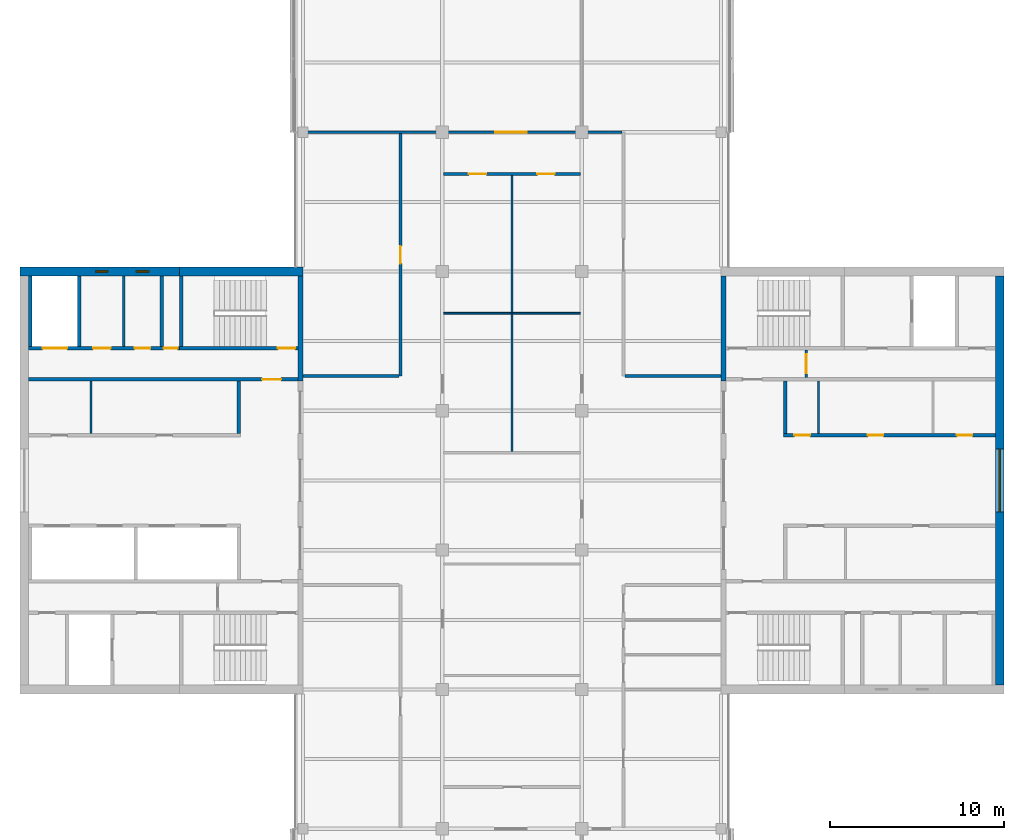
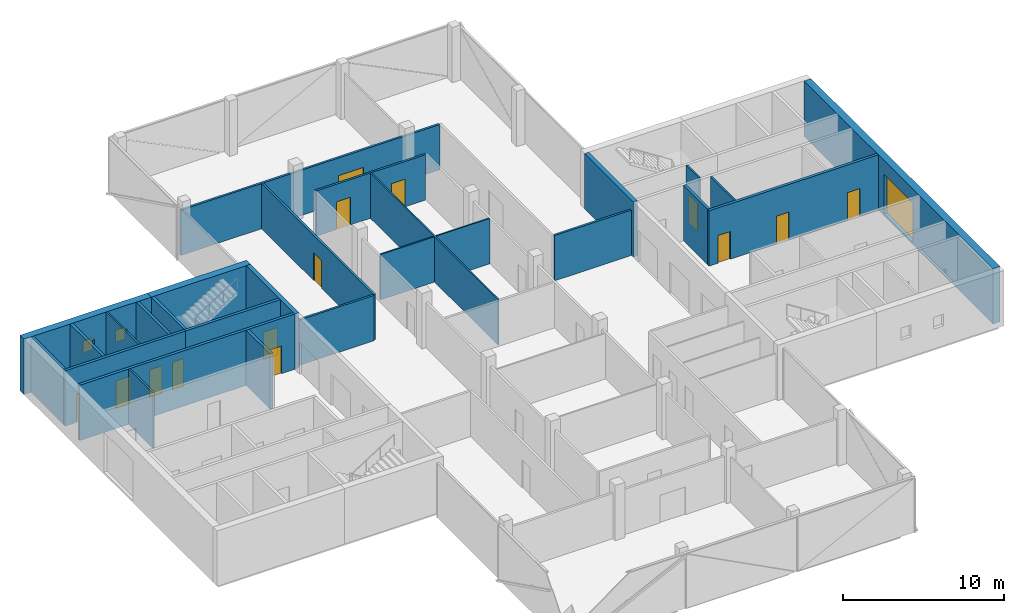
# One storey, part 11 of 15: 27 walls, 14 doors, 3 windows, 17 openings.
"""IFC4 building model written with IfcOpenShell, lengths in metres."""

from ifc_helpers import new_model, si_unit, direction, frame, frame_2d, origin, place, context, subcontext, project, spatial, rectangle, extrude, material, layer, layer_set, constituent, constituent_set, type_object, element, fill, save


model = new_model("IFC4")

# Units and contexts
model_context = context("Model", 3, precision=1e-05, world=origin(), true_north=direction((0.0, 1.0)))
body_context = subcontext(model_context, "Body", "Model", "MODEL_VIEW")
ifc_project = project(units=[si_unit("LENGTHUNIT", "METRE"), si_unit("AREAUNIT", "SQUARE_METRE"), si_unit("VOLUMEUNIT", "CUBIC_METRE"), si_unit("PLANEANGLEUNIT", "RADIAN"), si_unit("MASSUNIT", "GRAM", prefix="KILO")], contexts=[model_context])

# Site, building, storey
site_placement = place(None, origin())
site = spatial("IfcSite", under=ifc_project, at=site_placement, CompositionType="ELEMENT")
building_placement = place(site_placement, origin())
building = spatial("IfcBuilding", under=site, at=building_placement, Name="Crosswind Convention Tower", CompositionType="ELEMENT")
storey_placement = place(building_placement, frame((0.0, 0.0, 261.89990234375)))
storey = spatial("IfcBuildingStorey", under=building, at=storey_placement, Name="L56", CompositionType="ELEMENT", Elevation=261.89990234375)

# Walls
ifc_material_1 = material(Name="Concrete blockwork", Category="masonry")
ifc_layer_1 = layer(ifc_material_1, 0.199951171875)
ifc_layer_set_1 = layer_set([ifc_layer_1], Name="Blockwork partition wall 200")
wall_type_1 = type_object("IfcWallType", Name="Blockwork partition wall 200", PredefinedType="PARTITIONING", material=ifc_layer_set_1)
wall_1_placement = place(storey_placement, frame((104.89990234375, 111.75, 0.0), z_axis=(0.0, 0.0, 1.0), x_axis=(0.0, -1.0, 0.0)))
element("IfcWall", 1, at=wall_1_placement, inside=storey, type_object=wall_type_1, Name="Wall MRSE W L56", PredefinedType="PARTITIONING", context=body_context, shape_type="SweptSolid", body=[
    extrude(rectangle(XDim=4.050048828125, YDim=0.199951171875, at=frame_2d((2.02490234375, 0.0))), origin(), (0.0, 0.0, 1.0), 4.2001953125),
])
ifc_material_2 = material(Name="Concrete C50/60", Category="concrete")
ifc_layer_2 = layer(ifc_material_2, 0.300048828125)
ifc_layer_set_2 = layer_set([ifc_layer_2], Name="Concrete C50/60")
wall_type_2 = type_object("IfcWallType", Name="Concrete inner core wall 300", PredefinedType="SHEAR", material=ifc_layer_set_2)
for number, where, z_axis, x_axis, name in (
    (2, (137.14990234375, 105.699951171875, 0.0), (0.0, 0.0, 1.0), (0.0, 1.0, 0.0), "Wall EP E L56"),
    (3, (112.85009765625, 111.75, 0.0), (0.0, 0.0, 1.0), (0.0, -1.0, 0.0), "Wall EM W L56"),
):
    element("IfcWall", number, at=place(storey_placement, frame(where, z_axis=z_axis, x_axis=x_axis)), inside=storey, type_object=wall_type_2, Name=name, PredefinedType="SHEAR", context=body_context, shape_type="SweptSolid", body=[
        extrude(rectangle(XDim=6.050048828125, YDim=0.300048828125, at=frame_2d((3.02490234375, 0.0))), origin(), (0.0, 0.0, 1.0), 4.2001953125),
    ])
ifc_layer_3 = layer(ifc_material_2, 0.199951171875)
ifc_layer_set_3 = layer_set([ifc_layer_3], Name="Concrete C50/60")
wall_type_3 = type_object("IfcWallType", Name="Concrete shaft and stair wall 200", PredefinedType="SHEAR", material=ifc_layer_set_3)
wall_2_placement = place(storey_placement, frame((140.699951171875, 102.699951171875, 0.0), z_axis=(0.0, 0.0, 1.0), x_axis=(0.0, 1.0, 0.0)))
element("IfcWall", 4, at=wall_2_placement, inside=storey, type_object=wall_type_3, Name="Wall RPEND E L56", PredefinedType="SHEAR", context=body_context, shape_type="SweptSolid", body=[
    extrude(rectangle(XDim=3.0, YDim=0.199951171875, at=frame_2d((1.5, 0.0))), origin(), (0.0, 0.0, 1.0), 4.2001953125),
])

# Wall, openings, doors
wall_3_placement = place(storey_placement, frame((140.60009765625, 102.60009765625, 0.0), z_axis=(0.0, 0.0, 1.0), x_axis=(1.0, 0.0, 0.0)))
wall_3 = element("IfcWall", 5, at=wall_3_placement, inside=storey, type_object=wall_type_3, Name="Wall RPFRONT E L56", PredefinedType="SHEAR", context=body_context, shape_type="SweptSolid", body=[
    extrude(rectangle(XDim=12.14990234375, YDim=0.199951171875, at=frame_2d((6.074951171875, 0.0))), origin(), (0.0, 0.0, 1.0), 4.2001953125),
])
opening_1_placement = place(wall_3_placement, frame((0.614990234375, 0.0, 0.0)))
opening_1 = element("IfcOpeningElement", 6, at=opening_1_placement, cuts=wall_3, Name="Opening D106", PredefinedType="OPENING", context=body_context, shape_type="SweptSolid", body=[
    extrude(rectangle(XDim=0.89990234375, YDim=2.10009765625, at=frame_2d((0.449951171875, 1.050048828125))), frame((0.0, 0.10986328125, 0.0), z_axis=(0.0, -1.0, 0.0), x_axis=(1.0, 0.0, 0.0)), (0.0, 0.0, 1.0), 0.219970703125),
])
opening_2_placement = place(wall_3_placement, frame((4.828857421875, 0.0, 0.0)))
opening_2 = element("IfcOpeningElement", 7, at=opening_2_placement, cuts=wall_3, Name="Opening D106", PredefinedType="OPENING", context=body_context, shape_type="SweptSolid", body=[
    extrude(rectangle(XDim=0.89990234375, YDim=2.10009765625, at=frame_2d((0.449951171875, 1.050048828125))), frame((0.0, 0.10986328125, 0.0), z_axis=(0.0, -1.0, 0.0), x_axis=(1.0, 0.0, 0.0)), (0.0, 0.0, 1.0), 0.219970703125),
])
opening_3_placement = place(wall_3_placement, frame((9.938720703125, 0.0, 0.0)))
opening_3 = element("IfcOpeningElement", 8, at=opening_3_placement, cuts=wall_3, Name="Opening D106", PredefinedType="OPENING", context=body_context, shape_type="SweptSolid", body=[
    extrude(rectangle(XDim=0.89990234375, YDim=2.10009765625, at=frame_2d((0.449951171875, 1.050048828125))), frame((0.0, 0.10986328125, 0.0), z_axis=(0.0, -1.0, 0.0), x_axis=(1.0, 0.0, 0.0)), (0.0, 0.0, 1.0), 0.219970703125),
])
ifc_material_3 = material(Name="Timber door", Category="wood")
door_type_1 = type_object("IfcDoorType", Name="Single leaf door 900x2100", OperationType="NOTDEFINED", PredefinedType="DOOR", material=ifc_material_3)
door_1_placement = place(opening_1_placement, origin())
door_1 = element("IfcDoor", 9, at=door_1_placement, inside=storey, type_object=door_type_1, Name="Door to tenant services room L56", ObjectType="D106", OperationType="SINGLE_SWING_RIGHT", OverallHeight=2.10009765625, OverallWidth=0.89990234375, PredefinedType="DOOR", context=body_context, shape_type="SweptSolid", body=[
    extrude(rectangle(XDim=0.89990234375, YDim=2.10009765625, at=frame_2d((0.449951171875, 1.050048828125))), frame((0.0, 0.02490234375, 0.0), z_axis=(0.0, -1.0, 0.0), x_axis=(1.0, 0.0, 0.0)), (0.0, 0.0, 1.0), 0.050048828125),
])
fill(opening_1, door_1)
door_2_placement = place(opening_2_placement, origin())
door_2 = element("IfcDoor", 10, at=door_2_placement, inside=storey, type_object=door_type_1, Name="Door to copy and print room L56", ObjectType="D106", OperationType="SINGLE_SWING_RIGHT", OverallHeight=2.10009765625, OverallWidth=0.89990234375, PredefinedType="DOOR", context=body_context, shape_type="SweptSolid", body=[
    extrude(rectangle(XDim=0.89990234375, YDim=2.10009765625, at=frame_2d((0.449951171875, 1.050048828125))), frame((0.0, 0.02490234375, 0.0), z_axis=(0.0, -1.0, 0.0), x_axis=(1.0, 0.0, 0.0)), (0.0, 0.0, 1.0), 0.050048828125),
])
fill(opening_2, door_2)
door_3_placement = place(opening_3_placement, origin())
door_3 = element("IfcDoor", 11, at=door_3_placement, inside=storey, type_object=door_type_1, Name="Door to meeting room L56", ObjectType="D106", OperationType="SINGLE_SWING_RIGHT", OverallHeight=2.10009765625, OverallWidth=0.89990234375, PredefinedType="DOOR", context=body_context, shape_type="SweptSolid", body=[
    extrude(rectangle(XDim=0.89990234375, YDim=2.10009765625, at=frame_2d((0.449951171875, 1.050048828125))), frame((0.0, 0.02490234375, 0.0), z_axis=(0.0, -1.0, 0.0), x_axis=(1.0, 0.0, 0.0)), (0.0, 0.0, 1.0), 0.050048828125),
])
fill(opening_3, door_3)

# Wall
wall_4_placement = place(storey_placement, frame((109.300048828125, 105.699951171875, 0.0), z_axis=(0.0, 0.0, 1.0), x_axis=(0.0, -1.0, 0.0)))
element("IfcWall", 12, at=wall_4_placement, inside=storey, type_object=wall_type_3, Name="Wall RMEND W L56", PredefinedType="SHEAR", context=body_context, shape_type="SweptSolid", body=[
    extrude(rectangle(XDim=3.0, YDim=0.199951171875, at=frame_2d((1.5, 0.0))), origin(), (0.0, 0.0, 1.0), 4.2001953125),
])

# Wall, opening, door
wall_5_placement = place(storey_placement, frame((112.699951171875, 105.800048828125, 0.0), z_axis=(0.0, 0.0, 1.0), x_axis=(-1.0, 0.0, 0.0)))
wall_5 = element("IfcWall", 13, at=wall_5_placement, inside=storey, type_object=wall_type_3, Name="Wall HM W L56", PredefinedType="SHEAR", context=body_context, shape_type="SweptSolid", body=[
    extrude(rectangle(XDim=15.449951171875, YDim=0.199951171875, at=frame_2d((7.72509765625, 0.0))), origin(), (0.0, 0.0, 1.0), 4.2001953125),
])
opening_4_placement = place(wall_5_placement, frame((0.949951171875, 0.0, 0.0)))
opening_4 = element("IfcOpeningElement", 14, at=opening_4_placement, cuts=wall_5, Name="Opening D104", PredefinedType="OPENING", context=body_context, shape_type="SweptSolid", body=[
    extrude(rectangle(XDim=1.10009765625, YDim=2.10009765625, at=frame_2d((0.550048828125, 1.050048828125))), frame((0.0, 0.10986328125, 0.0), z_axis=(0.0, -1.0, 0.0), x_axis=(1.0, 0.0, 0.0)), (0.0, 0.0, 1.0), 0.219970703125),
])
ifc_material_4 = material(Name="Steel fire door", Category="steel")
door_type_2 = type_object("IfcDoorType", Name="Fire-rated single door 1100x2100", OperationType="NOTDEFINED", PredefinedType="DOOR", material=ifc_material_4)
door_4_placement = place(opening_4_placement, origin())
door_4 = element("IfcDoor", 15, at=door_4_placement, inside=storey, type_object=door_type_2, Name="Corridor door L56", ObjectType="D104", OperationType="SINGLE_SWING_LEFT", OverallHeight=2.10009765625, OverallWidth=1.10009765625, PredefinedType="DOOR", context=body_context, shape_type="SweptSolid", body=[
    extrude(rectangle(XDim=1.10009765625, YDim=2.10009765625, at=frame_2d((0.550048828125, 1.050048828125))), frame((0.0, 0.02490234375, 0.0), z_axis=(0.0, -1.0, 0.0), x_axis=(1.0, 0.0, 0.0)), (0.0, 0.0, 1.0), 0.050048828125),
])
fill(opening_4, door_4)

# Walls
for number, where, z_axis, x_axis, name in (
    (16, (106.0, 111.75, 0.0), (0.0, 0.0, 1.0), (0.0, -1.0, 0.0), "Wall MSE W L56"),
    (17, (100.14990234375, 111.75, 0.0), (0.0, 0.0, 1.0), (0.0, -1.0, 0.0), "Wall MFSW W L56"),
    (18, (97.35009765625, 111.75, 0.0), (0.0, 0.0, 1.0), (0.0, -1.0, 0.0), "Wall MFSE W L56"),
):
    element("IfcWall", number, at=place(storey_placement, frame(where, z_axis=z_axis, x_axis=x_axis)), inside=storey, type_object=wall_type_3, Name=name, PredefinedType="SHEAR", context=body_context, shape_type="SweptSolid", body=[
        extrude(rectangle(XDim=4.050048828125, YDim=0.199951171875, at=frame_2d((2.02490234375, 0.0))), origin(), (0.0, 0.0, 1.0), 4.2001953125),
    ])

# Wall, opening, door
wall_6_placement = place(storey_placement, frame((112.699951171875, 107.60009765625, 0.0), z_axis=(0.0, 0.0, 1.0), x_axis=(-1.0, 0.0, 0.0)))
wall_6 = element("IfcWall", 19, at=wall_6_placement, inside=storey, type_object=wall_type_3, Name="Wall MCW W L56", PredefinedType="SHEAR", context=body_context, shape_type="SweptSolid", body=[
    extrude(rectangle(XDim=6.800048828125, YDim=0.199951171875, at=frame_2d((3.39990234375, 0.0))), origin(), (0.0, 0.0, 1.0), 4.2001953125),
])
opening_5_placement = place(wall_6_placement, frame((0.14990234375, 0.0, 0.0)))
opening_5 = element("IfcOpeningElement", 20, at=opening_5_placement, cuts=wall_6, Name="Opening D103", PredefinedType="OPENING", context=body_context, shape_type="SweptSolid", body=[
    extrude(rectangle(XDim=1.0, YDim=2.10009765625, at=frame_2d((0.5, 1.050048828125))), frame((0.0, 0.10986328125, 0.0), z_axis=(0.0, -1.0, 0.0), x_axis=(1.0, 0.0, 0.0)), (0.0, 0.0, 1.0), 0.219970703125),
])
door_type_3 = type_object("IfcDoorType", Name="Fire-rated single door 1000x2100", OperationType="NOTDEFINED", PredefinedType="DOOR", material=ifc_material_4)
door_5_placement = place(opening_5_placement, frame((1.0, 0.0, 0.0), z_axis=(0.0, 0.0, 1.0), x_axis=(-1.0, 0.0, 0.0)))
door_5 = element("IfcDoor", 21, at=door_5_placement, inside=storey, type_object=door_type_3, Name="Stair ST4 door L56", ObjectType="D103", OperationType="SINGLE_SWING_RIGHT", OverallHeight=2.10009765625, OverallWidth=1.0, PredefinedType="DOOR", context=body_context, shape_type="SweptSolid", body=[
    extrude(rectangle(XDim=1.0, YDim=2.10009765625, at=frame_2d((0.5, 1.050048828125))), frame((0.0, 0.02490234375, 0.0), z_axis=(0.0, -1.0, 0.0), x_axis=(1.0, 0.0, 0.0)), (0.0, 0.0, 1.0), 0.050048828125),
])
fill(opening_5, door_5)

# Wall, openings, doors
wall_7_placement = place(storey_placement, frame((105.89990234375, 107.60009765625, 0.0), z_axis=(0.0, 0.0, 1.0), x_axis=(-1.0, 0.0, 0.0)))
wall_7 = element("IfcWall", 22, at=wall_7_placement, inside=storey, type_object=wall_type_3, Name="Wall MCX W L56", PredefinedType="SHEAR", context=body_context, shape_type="SweptSolid", body=[
    extrude(rectangle(XDim=8.64990234375, YDim=0.199951171875, at=frame_2d((4.324951171875, 0.0))), origin(), (0.0, 0.0, 1.0), 4.2001953125),
])
opening_6_placement = place(wall_7_placement, frame((0.10009765625, 0.0, 0.0)))
opening_6 = element("IfcOpeningElement", 23, at=opening_6_placement, cuts=wall_7, Name="Opening D105", PredefinedType="OPENING", context=body_context, shape_type="SweptSolid", body=[
    extrude(rectangle(XDim=0.800048828125, YDim=2.10009765625, at=frame_2d((0.39990234375, 1.050048828125))), frame((0.0, 0.10986328125, 0.0), z_axis=(0.0, -1.0, 0.0), x_axis=(1.0, 0.0, 0.0)), (0.0, 0.0, 1.0), 0.219970703125),
])
opening_7_placement = place(wall_7_placement, frame((1.665283203125, 0.0, 0.0)))
opening_7 = element("IfcOpeningElement", 24, at=opening_7_placement, cuts=wall_7, Name="Opening D106", PredefinedType="OPENING", context=body_context, shape_type="SweptSolid", body=[
    extrude(rectangle(XDim=0.89990234375, YDim=2.10009765625, at=frame_2d((0.449951171875, 1.050048828125))), frame((0.0, 0.10986328125, 0.0), z_axis=(0.0, -1.0, 0.0), x_axis=(1.0, 0.0, 0.0)), (0.0, 0.0, 1.0), 0.219970703125),
])
opening_8_placement = place(wall_7_placement, frame((3.95263671875, 0.0, 0.0)))
opening_8 = element("IfcOpeningElement", 25, at=opening_8_placement, cuts=wall_7, Name="Opening D103", PredefinedType="OPENING", context=body_context, shape_type="SweptSolid", body=[
    extrude(rectangle(XDim=1.0, YDim=2.10009765625, at=frame_2d((0.5, 1.050048828125))), frame((0.0, 0.10986328125, 0.0), z_axis=(0.0, -1.0, 0.0), x_axis=(1.0, 0.0, 0.0)), (0.0, 0.0, 1.0), 0.219970703125),
])
opening_9_placement = place(wall_7_placement, frame((6.449951171875, 0.0, 0.0)))
opening_9 = element("IfcOpeningElement", 26, at=opening_9_placement, cuts=wall_7, Name="Opening LD2", PredefinedType="OPENING", context=body_context, shape_type="SweptSolid", body=[
    extrude(rectangle(XDim=1.39990234375, YDim=2.10009765625, at=frame_2d((0.699951171875, 1.050048828125))), frame((0.0, 0.10986328125, 0.0), z_axis=(0.0, -1.0, 0.0), x_axis=(1.0, 0.0, 0.0)), (0.0, 0.0, 1.0), 0.219970703125),
])
door_6_placement = place(opening_8_placement, frame((1.0, 0.0, 0.0), z_axis=(0.0, 0.0, 1.0), x_axis=(-1.0, 0.0, 0.0)))
door_6 = element("IfcDoor", 27, at=door_6_placement, inside=storey, type_object=door_type_3, Name="Door to accessible wc L56", ObjectType="D103", OperationType="SINGLE_SWING_LEFT", OverallHeight=2.10009765625, OverallWidth=1.0, PredefinedType="DOOR", context=body_context, shape_type="SweptSolid", body=[
    extrude(rectangle(XDim=1.0, YDim=2.10009765625, at=frame_2d((0.5, 1.050048828125))), frame((0.0, 0.02490234375, 0.0), z_axis=(0.0, -1.0, 0.0), x_axis=(1.0, 0.0, 0.0)), (0.0, 0.0, 1.0), 0.050048828125),
])
fill(opening_8, door_6)
ifc_material_5 = material(Name="Stainless steel", Category="steel")
door_type_4 = type_object("IfcDoorType", Name="Lift landing door 1400x2100", OperationType="DOUBLE_DOOR_SLIDING", PredefinedType="DOOR", material=ifc_material_5)
door_7_placement = place(opening_9_placement, origin())
door_7 = element("IfcDoor", 28, at=door_7_placement, inside=storey, type_object=door_type_4, Name="Landing door SV2 L56", ObjectType="LD2", OperationType="DOUBLE_DOOR_SLIDING", OverallHeight=2.10009765625, OverallWidth=1.39990234375, PredefinedType="DOOR", context=body_context, shape_type="SweptSolid", body=[
    extrude(rectangle(XDim=1.39990234375, YDim=2.10009765625, at=frame_2d((0.699951171875, 1.050048828125))), frame((0.0, 0.02490234375, 0.0), z_axis=(0.0, -1.0, 0.0), x_axis=(1.0, 0.0, 0.0)), (0.0, 0.0, 1.0), 0.050048828125),
])
fill(opening_9, door_7)
door_type_5 = type_object("IfcDoorType", Name="Riser access door 800x2100", OperationType="NOTDEFINED", PredefinedType="DOOR", material=ifc_material_4)
door_8_placement = place(opening_6_placement, frame((0.800048828125, 0.0, 0.0), z_axis=(0.0, 0.0, 1.0), x_axis=(-1.0, 0.0, 0.0)))
door_8 = element("IfcDoor", 29, at=door_8_placement, inside=storey, type_object=door_type_5, Name="Riser door L56", ObjectType="D105", OperationType="SINGLE_SWING_LEFT", OverallHeight=2.10009765625, OverallWidth=0.800048828125, PredefinedType="DOOR", context=body_context, shape_type="SweptSolid", body=[
    extrude(rectangle(XDim=0.800048828125, YDim=2.10009765625, at=frame_2d((0.39990234375, 1.050048828125))), frame((0.0, 0.02490234375, 0.0), z_axis=(0.0, -1.0, 0.0), x_axis=(1.0, 0.0, 0.0)), (0.0, 0.0, 1.0), 0.050048828125),
])
fill(opening_6, door_8)
door_9_placement = place(opening_7_placement, frame((0.89990234375, 0.0, 0.0), z_axis=(0.0, 0.0, 1.0), x_axis=(-1.0, 0.0, 0.0)))
door_9 = element("IfcDoor", 30, at=door_9_placement, inside=storey, type_object=door_type_1, Name="Door to wc L56", ObjectType="D106", OperationType="SINGLE_SWING_LEFT", OverallHeight=2.10009765625, OverallWidth=0.89990234375, PredefinedType="DOOR", context=body_context, shape_type="SweptSolid", body=[
    extrude(rectangle(XDim=0.89990234375, YDim=2.10009765625, at=frame_2d((0.449951171875, 1.050048828125))), frame((0.0, 0.02490234375, 0.0), z_axis=(0.0, -1.0, 0.0), x_axis=(1.0, 0.0, 0.0)), (0.0, 0.0, 1.0), 0.050048828125),
])
fill(opening_7, door_9)

# Wall
ifc_material_6 = material(Name="Gypsum plasterboard partition", Category="gypsum")
ifc_layer_4 = layer(ifc_material_6, 0.125)
ifc_layer_set_4 = layer_set([ifc_layer_4], Name="Drywall partition wall 125")
wall_type_4 = type_object("IfcWallType", Name="Drywall partition wall 125", PredefinedType="PARTITIONING", material=ifc_layer_set_4)
wall_8_placement = place(storey_placement, frame((142.592529296875, 102.699951171875, 0.0), z_axis=(0.0, 0.0, 1.0), x_axis=(0.0, 1.0, 0.0)))
element("IfcWall", 31, at=wall_8_placement, inside=storey, type_object=wall_type_4, Name="Wall RPP1 E L56", PredefinedType="PARTITIONING", context=body_context, shape_type="SweptSolid", body=[
    extrude(rectangle(XDim=3.0, YDim=0.125, at=frame_2d((1.5, 0.0))), origin(), (0.0, 0.0, 1.0), 4.2001953125),
])

# Wall, opening, door
wall_9_placement = place(storey_placement, frame((141.89990234375, 105.89990234375, 0.0), z_axis=(0.0, 0.0, 1.0), x_axis=(0.0, 1.0, 0.0)))
wall_9 = element("IfcWall", 32, at=wall_9_placement, inside=storey, type_object=wall_type_4, Name="Wall PXC1 E L56", PredefinedType="PARTITIONING", context=body_context, shape_type="SweptSolid", body=[
    extrude(rectangle(XDim=1.60009765625, YDim=0.125, at=frame_2d((0.800048828125, 0.0))), origin(), (0.0, 0.0, 1.0), 4.2001953125),
])
opening_10_placement = place(wall_9_placement, frame((0.25, 0.0, 0.0)))
opening_10 = element("IfcOpeningElement", 33, at=opening_10_placement, cuts=wall_9, Name="Opening D104", PredefinedType="OPENING", context=body_context, shape_type="SweptSolid", body=[
    extrude(rectangle(XDim=1.10009765625, YDim=2.10009765625, at=frame_2d((0.550048828125, 1.050048828125))), frame((0.0, 0.072509765625, 0.0), z_axis=(0.0, -1.0, 0.0), x_axis=(1.0, 0.0, 0.0)), (0.0, 0.0, 1.0), 0.14501953125),
])
door_10_placement = place(opening_10_placement, origin())
door_10 = element("IfcDoor", 34, at=door_10_placement, inside=storey, type_object=door_type_2, Name="Corridor smoke door L56", ObjectType="D104", OperationType="SINGLE_SWING_RIGHT", OverallHeight=2.10009765625, OverallWidth=1.10009765625, PredefinedType="DOOR", context=body_context, shape_type="SweptSolid", body=[
    extrude(rectangle(XDim=1.10009765625, YDim=2.10009765625, at=frame_2d((0.550048828125, 1.050048828125))), frame((0.0, 0.02490234375, 0.0), z_axis=(0.0, -1.0, 0.0), x_axis=(1.0, 0.0, 0.0)), (0.0, 0.0, 1.0), 0.050048828125),
])
fill(opening_10, door_10)

# Walls
wall_10_placement = place(storey_placement, frame((100.8349609375, 105.699951171875, 0.0), z_axis=(0.0, 0.0, 1.0), x_axis=(0.0, -1.0, 0.0)))
element("IfcWall", 35, at=wall_10_placement, inside=storey, type_object=wall_type_4, Name="Wall RMP1 W L56", PredefinedType="PARTITIONING", context=body_context, shape_type="SweptSolid", body=[
    extrude(rectangle(XDim=3.0, YDim=0.125, at=frame_2d((1.5, 0.0))), origin(), (0.0, 0.0, 1.0), 4.2001953125),
])
wall_11_placement = place(storey_placement, frame((102.70703125, 111.75, 0.0), z_axis=(0.0, 0.0, 1.0), x_axis=(0.0, -1.0, 0.0)))
element("IfcWall", 36, at=wall_11_placement, inside=storey, type_object=wall_type_4, Name="Wall MWP1 W L56", PredefinedType="PARTITIONING", context=body_context, shape_type="SweptSolid", body=[
    extrude(rectangle(XDim=4.050048828125, YDim=0.125, at=frame_2d((2.02490234375, 0.0))), origin(), (0.0, 0.0, 1.0), 4.2001953125),
])
ifc_material_7 = material(Name="Plasterboard partition", Category="gypsum")
ifc_layer_5 = layer(ifc_material_7, 0.10009765625)
ifc_layer_set_5 = layer_set([ifc_layer_5], Name="PARTITION 100 METAL STUD")
wall_type_5 = type_object("IfcWallType", Name="PARTITION 100 METAL STUD", PredefinedType="PARTITIONING", material=ifc_layer_set_5)
wall_12_placement = place(storey_placement, frame((125.0, 101.675048828125, 0.0), z_axis=(0.0, 0.0, 1.0), x_axis=(0.0, 1.0, 0.0)))
element("IfcWall", 37, at=wall_12_placement, inside=storey, type_object=wall_type_5, Name="Partition wall WT40", PredefinedType="PARTITIONING", context=body_context, shape_type="SweptSolid", body=[
    extrude(rectangle(XDim=15.849853515625, YDim=0.10009765625, at=frame_2d((7.9248046875, 0.0))), origin(), (0.0, 0.0, 1.0), 3.44287109375),
])
for number, where, z_axis, x_axis, name in (
    (38, (121.074951171875, 109.60009765625, 0.0), (0.0, 0.0, 1.0), (1.0, 0.0, 0.0), "Partition wall WT40"),
    (39, (125.050048828125, 109.60009765625, 0.0), (0.0, 0.0, 1.0), (1.0, 0.0, 0.0), "Partition wall WT40"),
):
    element("IfcWall", number, at=place(storey_placement, frame(where, z_axis=z_axis, x_axis=x_axis)), inside=storey, type_object=wall_type_5, Name=name, PredefinedType="PARTITIONING", context=body_context, shape_type="SweptSolid", body=[
        extrude(rectangle(XDim=3.875, YDim=0.10009765625, at=frame_2d((1.9375, 0.0))), origin(), (0.0, 0.0, 1.0), 3.44287109375),
    ])

# Wall, opening, door
ifc_material_8 = material(Name="Fire-board partition with mineral wool", Category="gypsum")
ifc_layer_6 = layer(ifc_material_8, 0.14990234375)
ifc_layer_set_6 = layer_set([ifc_layer_6], Name="TENANCY WALL 150 TWO-HOUR BOARD")
wall_type_6 = type_object("IfcWallType", Name="TENANCY WALL 150 TWO-HOUR BOARD", PredefinedType="PARTITIONING", material=ifc_layer_set_6)
wall_13_placement = place(storey_placement, frame((118.60009765625, 106.0, 0.0), z_axis=(0.0, 0.0, 1.0), x_axis=(0.0, 1.0, 0.0)))
wall_13 = element("IfcWall", 40, at=wall_13_placement, inside=storey, type_object=wall_type_6, Name="Tenancy wall WT41", PredefinedType="PARTITIONING", context=body_context, shape_type="SweptSolid", body=[
    extrude(rectangle(XDim=13.925048828125, YDim=0.14990234375, at=frame_2d((6.96240234375, 0.0))), origin(), (0.0, 0.0, 1.0), 3.44287109375),
])
opening_11_placement = place(wall_13_placement, frame((6.449951171875, 0.0, 0.0)))
opening_11 = element("IfcOpeningElement", 41, at=opening_11_placement, cuts=wall_13, Name="Opening L56-55", PredefinedType="OPENING", context=body_context, shape_type="SweptSolid", body=[
    extrude(rectangle(XDim=1.0, YDim=2.10009765625, at=frame_2d((0.5, 1.050048828125))), frame((0.0, 0.0849609375, 0.0), z_axis=(0.0, -1.0, 0.0), x_axis=(1.0, 0.0, 0.0)), (0.0, 0.0, 1.0), 0.169921875),
])
ifc_material_9 = material(Name="Timber fire door", Category="wood")
door_type_6 = type_object("IfcDoorType", Name="TENANCY ENTRANCE DOOR 1000X2100 FD30S", OperationType="NOTDEFINED", PredefinedType="DOOR", material=ifc_material_9)
door_11_placement = place(opening_11_placement, origin())
door_11 = element("IfcDoor", 42, at=door_11_placement, inside=storey, type_object=door_type_6, Name="Door L56-55", ObjectType="D41", OperationType="SINGLE_SWING_RIGHT", OverallHeight=2.10009765625, OverallWidth=1.0, PredefinedType="DOOR", context=body_context, shape_type="SweptSolid", body=[
    extrude(rectangle(XDim=1.0, YDim=2.10009765625, at=frame_2d((0.5, 1.050048828125))), frame((0.0, 0.02490234375, 0.0), z_axis=(0.0, -1.0, 0.0), x_axis=(1.0, 0.0, 0.0)), (0.0, 0.0, 1.0), 0.050048828125),
])
fill(opening_11, door_11)

# Walls
for number, where, z_axis, x_axis, name in (
    (43, (113.0, 106.0, 0.0), (0.0, 0.0, 1.0), (1.0, 0.0, 0.0), "Tenancy wall WT41"),
    (44, (131.47509765625, 106.0, 0.0), (0.0, 0.0, 1.0), (1.0, 0.0, 0.0), "Tenancy wall WT41"),
):
    element("IfcWall", number, at=place(storey_placement, frame(where, z_axis=z_axis, x_axis=x_axis)), inside=storey, type_object=wall_type_6, Name=name, PredefinedType="PARTITIONING", context=body_context, shape_type="SweptSolid", body=[
        extrude(rectangle(XDim=5.52490234375, YDim=0.14990234375, at=frame_2d((2.762451171875, 0.0))), origin(), (0.0, 0.0, 1.0), 3.44287109375),
    ])

# Wall, openings, doors
wall_14_placement = place(storey_placement, frame((121.074951171875, 117.60009765625, 0.0), z_axis=(0.0, 0.0, 1.0), x_axis=(1.0, 0.0, 0.0)))
wall_14 = element("IfcWall", 45, at=wall_14_placement, inside=storey, type_object=wall_type_6, Name="Tenancy wall WT41", PredefinedType="PARTITIONING", context=body_context, shape_type="SweptSolid", body=[
    extrude(rectangle(XDim=7.85009765625, YDim=0.14990234375, at=frame_2d((3.925048828125, 0.0))), origin(), (0.0, 0.0, 1.0), 3.44287109375),
])
opening_12_placement = place(wall_14_placement, frame((1.449951171875, 0.0, 0.0)))
opening_12 = element("IfcOpeningElement", 46, at=opening_12_placement, cuts=wall_14, Name="Opening L56-65", PredefinedType="OPENING", context=body_context, shape_type="SweptSolid", body=[
    extrude(rectangle(XDim=1.0, YDim=2.10009765625, at=frame_2d((0.5, 1.050048828125))), frame((0.0, 0.0849609375, 0.0), z_axis=(0.0, -1.0, 0.0), x_axis=(1.0, 0.0, 0.0)), (0.0, 0.0, 1.0), 0.169921875),
])
opening_13_placement = place(wall_14_placement, frame((5.375, 0.0, 0.0)))
opening_13 = element("IfcOpeningElement", 47, at=opening_13_placement, cuts=wall_14, Name="Opening L56-66", PredefinedType="OPENING", context=body_context, shape_type="SweptSolid", body=[
    extrude(rectangle(XDim=1.0, YDim=2.10009765625, at=frame_2d((0.5, 1.050048828125))), frame((0.0, 0.0849609375, 0.0), z_axis=(0.0, -1.0, 0.0), x_axis=(1.0, 0.0, 0.0)), (0.0, 0.0, 1.0), 0.169921875),
])
door_12_placement = place(opening_12_placement, frame((1.0, 0.0, 0.0), z_axis=(0.0, 0.0, 1.0), x_axis=(-1.0, 0.0, 0.0)))
door_12 = element("IfcDoor", 48, at=door_12_placement, inside=storey, type_object=door_type_6, Name="Door L56-65", ObjectType="D41", OperationType="SINGLE_SWING_LEFT", OverallHeight=2.10009765625, OverallWidth=1.0, PredefinedType="DOOR", context=body_context, shape_type="SweptSolid", body=[
    extrude(rectangle(XDim=1.0, YDim=2.10009765625, at=frame_2d((0.5, 1.050048828125))), frame((0.0, 0.02490234375, 0.0), z_axis=(0.0, -1.0, 0.0), x_axis=(1.0, 0.0, 0.0)), (0.0, 0.0, 1.0), 0.050048828125),
])
fill(opening_12, door_12)
door_13_placement = place(opening_13_placement, frame((1.0, 0.0, 0.0), z_axis=(0.0, 0.0, 1.0), x_axis=(-1.0, 0.0, 0.0)))
door_13 = element("IfcDoor", 49, at=door_13_placement, inside=storey, type_object=door_type_6, Name="Door L56-66", ObjectType="D41", OperationType="SINGLE_SWING_RIGHT", OverallHeight=2.10009765625, OverallWidth=1.0, PredefinedType="DOOR", context=body_context, shape_type="SweptSolid", body=[
    extrude(rectangle(XDim=1.0, YDim=2.10009765625, at=frame_2d((0.5, 1.050048828125))), frame((0.0, 0.02490234375, 0.0), z_axis=(0.0, -1.0, 0.0), x_axis=(1.0, 0.0, 0.0)), (0.0, 0.0, 1.0), 0.050048828125),
])
fill(opening_13, door_13)

# Wall, opening, door
wall_15_placement = place(storey_placement, frame((112.72998046875, 120.0, 0.0), z_axis=(0.0, 0.0, 1.0), x_axis=(1.0, 0.0, 0.0)))
wall_15 = element("IfcWall", 50, at=wall_15_placement, inside=storey, type_object=wall_type_6, Name="Tenancy wall WT41", PredefinedType="PARTITIONING", context=body_context, shape_type="SweptSolid", body=[
    extrude(rectangle(XDim=18.594970703125, YDim=0.14990234375, at=frame_2d((9.29736328125, 0.0))), origin(), (0.0, 0.0, 1.0), 3.44287109375),
])
opening_14_placement = place(wall_15_placement, frame((11.320068359375, 0.0, 0.0)))
opening_14 = element("IfcOpeningElement", 51, at=opening_14_placement, cuts=wall_15, Name="Opening L56-57", PredefinedType="OPENING", context=body_context, shape_type="SweptSolid", body=[
    extrude(rectangle(XDim=1.800048828125, YDim=2.10009765625, at=frame_2d((0.89990234375, 1.050048828125))), frame((0.0, 0.0849609375, 0.0), z_axis=(0.0, -1.0, 0.0), x_axis=(1.0, 0.0, 0.0)), (0.0, 0.0, 1.0), 0.169921875),
])
door_type_7 = type_object("IfcDoorType", Name="TENANCY ENTRANCE DOUBLE DOOR 1800X2100 FD30S", OperationType="DOUBLE_DOOR_SINGLE_SWING", PredefinedType="DOOR", material=ifc_material_9)
door_14_placement = place(opening_14_placement, origin())
door_14 = element("IfcDoor", 52, at=door_14_placement, inside=storey, type_object=door_type_7, Name="Door L56-57", ObjectType="D42", OperationType="DOUBLE_DOOR_SINGLE_SWING", OverallHeight=2.10009765625, OverallWidth=1.800048828125, PredefinedType="DOOR", context=body_context, shape_type="SweptSolid", body=[
    extrude(rectangle(XDim=1.800048828125, YDim=2.10009765625, at=frame_2d((0.89990234375, 1.050048828125))), frame((0.0, 0.02490234375, 0.0), z_axis=(0.0, -1.0, 0.0), x_axis=(1.0, 0.0, 0.0)), (0.0, 0.0, 1.0), 0.050048828125),
])
fill(opening_14, door_14)

# Wall, opening, window
ifc_material_10 = material(Name="Concrete C60/75", Category="concrete")
ifc_constituent_1 = constituent(ifc_material_10, Name="Structure")
ifc_material_11 = material(Name="Terracotta rainscreen", Category="ceramic")
ifc_constituent_2 = constituent(ifc_material_11, Name="Facing")
ifc_constituent_set = constituent_set(constituents=[ifc_constituent_1, ifc_constituent_2], Name="Concrete C60/75, Terracotta rainscreen")
wall_type_7 = type_object("IfcWallType", Name="Terracotta rainscreen on concrete core wall 500", PredefinedType="SHEAR", material=ifc_constituent_set)
wall_16_placement = place(storey_placement, frame((153.0, 88.25, 0.0), z_axis=(0.0, 0.0, 1.0), x_axis=(0.0, 1.0, 0.0)))
wall_16 = element("IfcWall", 53, at=wall_16_placement, inside=storey, type_object=wall_type_7, Name="Wall O E L56", PredefinedType="SHEAR", context=body_context, shape_type="SweptSolid", body=[
    extrude(rectangle(XDim=23.5, YDim=0.5, at=frame_2d((11.75, 0.0))), origin(), (0.0, 0.0, 1.0), 4.2001953125),
])
opening_15_placement = place(wall_16_placement, frame((9.949951171875, 0.0, 0.14990234375)))
opening_15 = element("IfcOpeningElement", 54, at=opening_15_placement, cuts=wall_16, Name="Opening W1", PredefinedType="OPENING", context=body_context, shape_type="SweptSolid", body=[
    extrude(rectangle(XDim=3.60009765625, YDim=3.0, at=frame_2d((1.800048828125, 1.5))), frame((0.0, 0.260009765625, 0.0), z_axis=(0.0, -1.0, 0.0), x_axis=(1.0, 0.0, 0.0)), (0.0, 0.0, 1.0), 0.52001953125),
])
ifc_material_12 = material(Name="Clear laminated glass in aluminium frame", Category="aluminium")
window_type_1 = type_object("IfcWindowType", Name="Lobby end window 3600x3000", PartitioningType="SINGLE_PANEL", PredefinedType="WINDOW", material=ifc_material_12)
window_1_placement = place(opening_15_placement, origin())
window_1 = element("IfcWindow", 55, at=window_1_placement, inside=storey, type_object=window_type_1, Name="Lobby end window L56", ObjectType="W1", OverallHeight=3.0, OverallWidth=3.60009765625, PartitioningType="SINGLE_PANEL", PredefinedType="WINDOW", context=body_context, shape_type="SweptSolid", body=[
    extrude(rectangle(XDim=3.60009765625, YDim=3.0, at=frame_2d((1.800048828125, 1.5))), frame((0.0, 0.030029296875, 0.0), z_axis=(0.0, -1.0, 0.0), x_axis=(1.0, 0.0, 0.0)), (0.0, 0.0, 1.0), 0.06005859375),
])
fill(opening_15, window_1)

# Wall
wall_17_placement = place(storey_placement, frame((113.0, 112.0, 0.0), z_axis=(0.0, 0.0, 1.0), x_axis=(-1.0, 0.0, 0.0)))
element("IfcWall", 56, at=wall_17_placement, inside=storey, type_object=wall_type_7, Name="Wall S1 W L56", PredefinedType="SHEAR", context=body_context, shape_type="SweptSolid", body=[
    extrude(rectangle(XDim=7.10009765625, YDim=0.5, at=frame_2d((3.550048828125, 0.0))), origin(), (0.0, 0.0, 1.0), 4.2001953125),
])

# Wall, openings, windows
wall_18_placement = place(storey_placement, frame((105.89990234375, 112.0, 0.0), z_axis=(0.0, 0.0, 1.0), x_axis=(-1.0, 0.0, 0.0)))
wall_18 = element("IfcWall", 57, at=wall_18_placement, inside=storey, type_object=wall_type_7, Name="Wall S2 W L56", PredefinedType="SHEAR", context=body_context, shape_type="SweptSolid", body=[
    extrude(rectangle(XDim=9.14990234375, YDim=0.5, at=frame_2d((4.574951171875, 0.0))), origin(), (0.0, 0.0, 1.0), 4.2001953125),
])
opening_16_placement = place(wall_18_placement, frame((1.76513671875, 0.0, 1.5)))
opening_16 = element("IfcOpeningElement", 58, at=opening_16_placement, cuts=wall_18, Name="Opening W2", PredefinedType="OPENING", context=body_context, shape_type="SweptSolid", body=[
    extrude(rectangle(XDim=0.699951171875, YDim=0.89990234375, at=frame_2d((0.35009765625, 0.449951171875))), frame((0.0, 0.260009765625, 0.0), z_axis=(0.0, -1.0, 0.0), x_axis=(1.0, 0.0, 0.0)), (0.0, 0.0, 1.0), 0.52001953125),
])
opening_17_placement = place(wall_18_placement, frame((4.102783203125, 0.0, 1.5)))
opening_17 = element("IfcOpeningElement", 59, at=opening_17_placement, cuts=wall_18, Name="Opening W2", PredefinedType="OPENING", context=body_context, shape_type="SweptSolid", body=[
    extrude(rectangle(XDim=0.699951171875, YDim=0.89990234375, at=frame_2d((0.35009765625, 0.449951171875))), frame((0.0, 0.260009765625, 0.0), z_axis=(0.0, -1.0, 0.0), x_axis=(1.0, 0.0, 0.0)), (0.0, 0.0, 1.0), 0.52001953125),
])
ifc_material_13 = material(Name="Obscure glass in aluminium frame", Category="aluminium")
window_type_2 = type_object("IfcWindowType", Name="WC window 700x900", PartitioningType="SINGLE_PANEL", PredefinedType="WINDOW", material=ifc_material_13)
window_2_placement = place(opening_16_placement, origin())
window_2 = element("IfcWindow", 60, at=window_2_placement, inside=storey, type_object=window_type_2, Name="WC window L56", ObjectType="W2", OverallHeight=0.89990234375, OverallWidth=0.699951171875, PartitioningType="SINGLE_PANEL", PredefinedType="WINDOW", context=body_context, shape_type="SweptSolid", body=[
    extrude(rectangle(XDim=0.699951171875, YDim=0.89990234375, at=frame_2d((0.35009765625, 0.449951171875))), frame((0.0, 0.030029296875, 0.0), z_axis=(0.0, -1.0, 0.0), x_axis=(1.0, 0.0, 0.0)), (0.0, 0.0, 1.0), 0.06005859375),
])
fill(opening_16, window_2)
window_3_placement = place(opening_17_placement, origin())
window_3 = element("IfcWindow", 61, at=window_3_placement, inside=storey, type_object=window_type_2, Name="WC window L56", ObjectType="W2", OverallHeight=0.89990234375, OverallWidth=0.699951171875, PartitioningType="SINGLE_PANEL", PredefinedType="WINDOW", context=body_context, shape_type="SweptSolid", body=[
    extrude(rectangle(XDim=0.699951171875, YDim=0.89990234375, at=frame_2d((0.35009765625, 0.449951171875))), frame((0.0, 0.030029296875, 0.0), z_axis=(0.0, -1.0, 0.0), x_axis=(1.0, 0.0, 0.0)), (0.0, 0.0, 1.0), 0.06005859375),
])
fill(opening_17, window_3)

save(model, "model.ifc")
